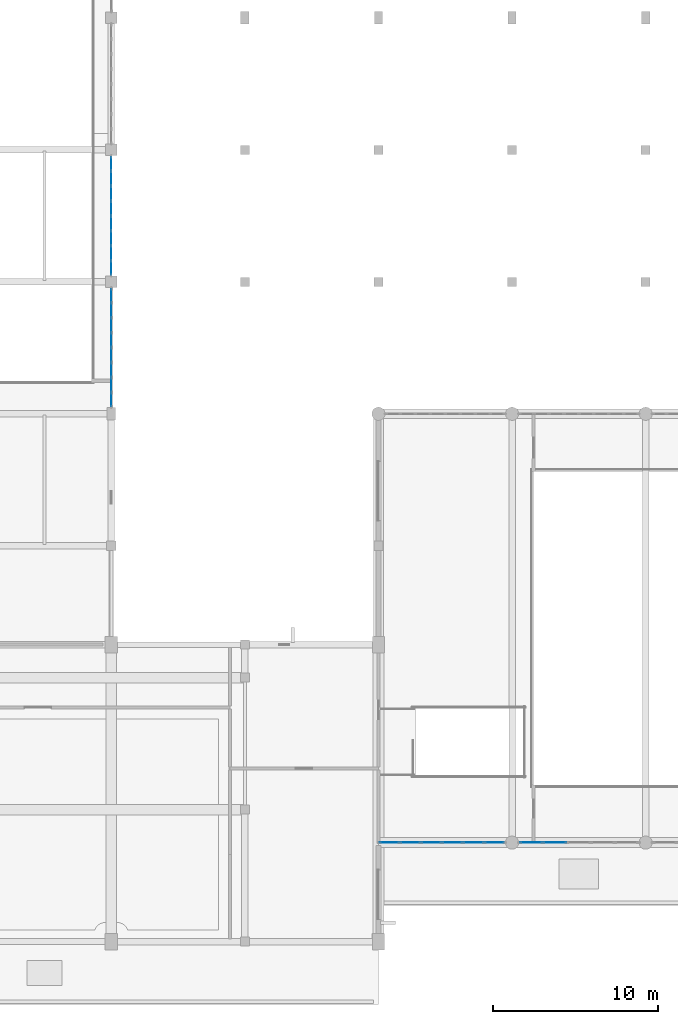
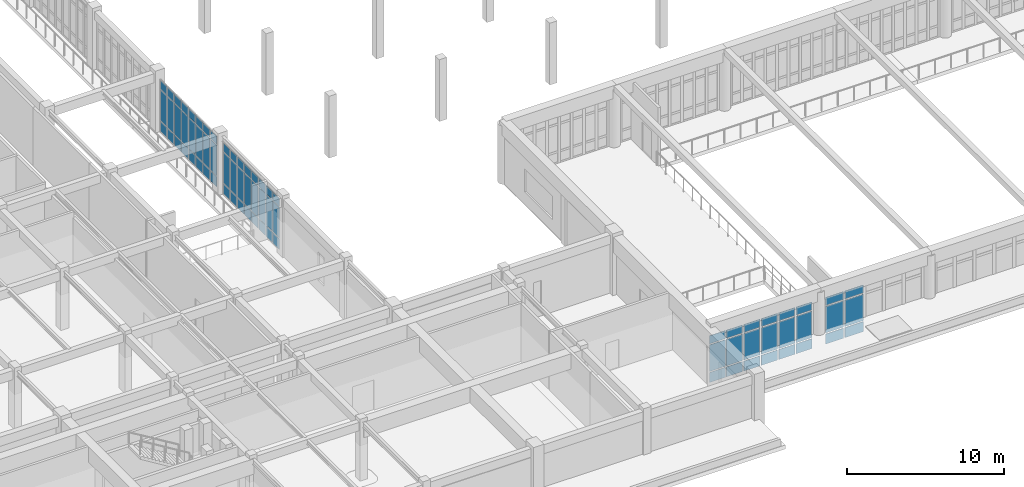
# One storey, part 29 of 61: 72 plates, 4 elements without a shape of their own.
"""IFC4 building model written with IfcOpenShell, lengths in metres."""

from ifc_helpers import new_model, si_unit, direction, frame, origin, origin_2d, place, context, subcontext, project, spatial, rectangle, extrude, material, layer, layer_set, type_object, element, aggregate, save


model = new_model("IFC4")

# Units and contexts
model_context = context("Model", 3, precision=1e-05, world=origin(), true_north=direction((0.0, 1.0)))
body_context = subcontext(model_context, "Body", "Model", "MODEL_VIEW")
ifc_project = project(units=[si_unit("LENGTHUNIT", "METRE"), si_unit("AREAUNIT", "SQUARE_METRE"), si_unit("VOLUMEUNIT", "CUBIC_METRE"), si_unit("PLANEANGLEUNIT", "RADIAN"), si_unit("MASSUNIT", "GRAM", prefix="KILO")], contexts=[model_context])

# Site, building, storey
site_placement = place(None, origin())
site = spatial("IfcSite", under=ifc_project, at=site_placement, CompositionType="ELEMENT")
building_placement = place(site_placement, origin())
building = spatial("IfcBuilding", under=site, at=building_placement, Name="Tarnveldt Square Police Headquarters", CompositionType="ELEMENT")
storey_placement = place(building_placement, frame((0.0, 0.0, 5.39990234375)))
storey = spatial("IfcBuildingStorey", under=building, at=storey_placement, Name="L01", CompositionType="ELEMENT", Elevation=5.39990234375)

# Curtain wall, plates
ifc_material = material(Name="Triple-glazed low-e laminated vision glass", Category="glass")
curtain_wall_type_1 = type_object("IfcCurtainWallType", Name="CW-EH-769x379", PredefinedType="USERDEFINED", material=ifc_material)
curtain_wall_1_placement = place(storey_placement, origin())
curtain_wall_1 = element("IfcCurtainWall", 1, at=curtain_wall_1_placement, inside=storey, type_object=curtain_wall_type_1, Name="L01 Curtain Wall CW-L01-007", ObjectType="GLAZED CURTAIN WALL", PredefinedType="USERDEFINED")
ifc_layer = layer(ifc_material, 0.028076171875)
ifc_layer_set = layer_set([ifc_layer], Name="Triple-glazed low-e laminated vision glass")
plate_type = type_object("IfcPlateType", Name="CWP-VIS-28", PredefinedType="CURTAIN_PANEL", material=ifc_layer_set)
plate_1_placement = place(storey_placement, frame((65.461669921875, 22.0, 0.085205078125), z_axis=(0.0, 0.0, 1.0), x_axis=(1.0, 0.0, 0.0)))
plate_1 = element("IfcPlate", 2, at=plate_1_placement, type_object=plate_type, Name="CW-EH04 panel 1.1", PredefinedType="CURTAIN_PANEL", context=body_context, shape_type="SweptSolid", body=[
    extrude(rectangle(XDim=1.1533203125, YDim=0.028076171875, at=origin_2d()), origin(), (0.0, 0.0, 1.0), 0.7724609375),
])
plate_2_placement = place(storey_placement, frame((65.461669921875, 22.0, 0.94287109375), z_axis=(0.0, 0.0, 1.0), x_axis=(1.0, 0.0, 0.0)))
plate_2 = element("IfcPlate", 3, at=plate_2_placement, type_object=plate_type, Name="CW-EH04 panel 1.2", PredefinedType="CURTAIN_PANEL", context=body_context, shape_type="SweptSolid", body=[
    extrude(rectangle(XDim=1.1533203125, YDim=0.028076171875, at=origin_2d()), origin(), (0.0, 0.0, 1.0), 2.056884765625),
])
plate_3_placement = place(storey_placement, frame((65.461669921875, 22.0, 3.08447265625), z_axis=(0.0, 0.0, 1.0), x_axis=(1.0, 0.0, 0.0)))
plate_3 = element("IfcPlate", 4, at=plate_3_placement, type_object=plate_type, Name="CW-EH04 panel 1.3", PredefinedType="CURTAIN_PANEL", context=body_context, shape_type="SweptSolid", body=[
    extrude(rectangle(XDim=1.1533203125, YDim=0.028076171875, at=origin_2d()), origin(), (0.0, 0.0, 1.0), 0.62255859375),
])
plate_4_placement = place(storey_placement, frame((66.72119140625, 22.0, 0.085205078125), z_axis=(0.0, 0.0, 1.0), x_axis=(1.0, 0.0, 0.0)))
plate_4 = element("IfcPlate", 5, at=plate_4_placement, type_object=plate_type, Name="CW-EH04 panel 2.1", PredefinedType="CURTAIN_PANEL", context=body_context, shape_type="SweptSolid", body=[
    extrude(rectangle(XDim=1.19580078125, YDim=0.028076171875, at=origin_2d()), origin(), (0.0, 0.0, 1.0), 0.7724609375),
])
plate_5_placement = place(storey_placement, frame((66.72119140625, 22.0, 0.94287109375), z_axis=(0.0, 0.0, 1.0), x_axis=(1.0, 0.0, 0.0)))
plate_5 = element("IfcPlate", 6, at=plate_5_placement, type_object=plate_type, Name="CW-EH04 panel 2.2", PredefinedType="CURTAIN_PANEL", context=body_context, shape_type="SweptSolid", body=[
    extrude(rectangle(XDim=1.19580078125, YDim=0.028076171875, at=origin_2d()), origin(), (0.0, 0.0, 1.0), 2.056884765625),
])
plate_6_placement = place(storey_placement, frame((66.72119140625, 22.0, 3.08447265625), z_axis=(0.0, 0.0, 1.0), x_axis=(1.0, 0.0, 0.0)))
plate_6 = element("IfcPlate", 7, at=plate_6_placement, type_object=plate_type, Name="CW-EH04 panel 2.3", PredefinedType="CURTAIN_PANEL", context=body_context, shape_type="SweptSolid", body=[
    extrude(rectangle(XDim=1.19580078125, YDim=0.028076171875, at=origin_2d()), origin(), (0.0, 0.0, 1.0), 0.62255859375),
])
plate_7_placement = place(storey_placement, frame((68.002197265625, 22.0, 0.085205078125), z_axis=(0.0, 0.0, 1.0), x_axis=(1.0, 0.0, 0.0)))
plate_7 = element("IfcPlate", 8, at=plate_7_placement, type_object=plate_type, Name="CW-EH04 panel 3.1", PredefinedType="CURTAIN_PANEL", context=body_context, shape_type="SweptSolid", body=[
    extrude(rectangle(XDim=1.19580078125, YDim=0.028076171875, at=origin_2d()), origin(), (0.0, 0.0, 1.0), 0.7724609375),
])
plate_8_placement = place(storey_placement, frame((68.002197265625, 22.0, 0.94287109375), z_axis=(0.0, 0.0, 1.0), x_axis=(1.0, 0.0, 0.0)))
plate_8 = element("IfcPlate", 9, at=plate_8_placement, type_object=plate_type, Name="CW-EH04 panel 3.2", PredefinedType="CURTAIN_PANEL", context=body_context, shape_type="SweptSolid", body=[
    extrude(rectangle(XDim=1.19580078125, YDim=0.028076171875, at=origin_2d()), origin(), (0.0, 0.0, 1.0), 2.056884765625),
])
plate_9_placement = place(storey_placement, frame((68.002197265625, 22.0, 3.08447265625), z_axis=(0.0, 0.0, 1.0), x_axis=(1.0, 0.0, 0.0)))
plate_9 = element("IfcPlate", 10, at=plate_9_placement, type_object=plate_type, Name="CW-EH04 panel 3.3", PredefinedType="CURTAIN_PANEL", context=body_context, shape_type="SweptSolid", body=[
    extrude(rectangle(XDim=1.19580078125, YDim=0.028076171875, at=origin_2d()), origin(), (0.0, 0.0, 1.0), 0.62255859375),
])
plate_10_placement = place(storey_placement, frame((69.282958984375, 22.0, 0.085205078125), z_axis=(0.0, 0.0, 1.0), x_axis=(1.0, 0.0, 0.0)))
plate_10 = element("IfcPlate", 11, at=plate_10_placement, type_object=plate_type, Name="CW-EH04 panel 4.1", PredefinedType="CURTAIN_PANEL", context=body_context, shape_type="SweptSolid", body=[
    extrude(rectangle(XDim=1.19580078125, YDim=0.028076171875, at=origin_2d()), origin(), (0.0, 0.0, 1.0), 0.7724609375),
])
plate_11_placement = place(storey_placement, frame((69.282958984375, 22.0, 0.94287109375), z_axis=(0.0, 0.0, 1.0), x_axis=(1.0, 0.0, 0.0)))
plate_11 = element("IfcPlate", 12, at=plate_11_placement, type_object=plate_type, Name="CW-EH04 panel 4.2", PredefinedType="CURTAIN_PANEL", context=body_context, shape_type="SweptSolid", body=[
    extrude(rectangle(XDim=1.19580078125, YDim=0.028076171875, at=origin_2d()), origin(), (0.0, 0.0, 1.0), 2.056884765625),
])
plate_12_placement = place(storey_placement, frame((69.282958984375, 22.0, 3.08447265625), z_axis=(0.0, 0.0, 1.0), x_axis=(1.0, 0.0, 0.0)))
plate_12 = element("IfcPlate", 13, at=plate_12_placement, type_object=plate_type, Name="CW-EH04 panel 4.3", PredefinedType="CURTAIN_PANEL", context=body_context, shape_type="SweptSolid", body=[
    extrude(rectangle(XDim=1.19580078125, YDim=0.028076171875, at=origin_2d()), origin(), (0.0, 0.0, 1.0), 0.62255859375),
])
plate_13_placement = place(storey_placement, frame((70.563720703125, 22.0, 0.085205078125), z_axis=(0.0, 0.0, 1.0), x_axis=(1.0, 0.0, 0.0)))
plate_13 = element("IfcPlate", 14, at=plate_13_placement, type_object=plate_type, Name="CW-EH04 panel 5.1", PredefinedType="CURTAIN_PANEL", context=body_context, shape_type="SweptSolid", body=[
    extrude(rectangle(XDim=1.19580078125, YDim=0.028076171875, at=origin_2d()), origin(), (0.0, 0.0, 1.0), 0.7724609375),
])
plate_14_placement = place(storey_placement, frame((70.563720703125, 22.0, 0.94287109375), z_axis=(0.0, 0.0, 1.0), x_axis=(1.0, 0.0, 0.0)))
plate_14 = element("IfcPlate", 15, at=plate_14_placement, type_object=plate_type, Name="CW-EH04 panel 5.2", PredefinedType="CURTAIN_PANEL", context=body_context, shape_type="SweptSolid", body=[
    extrude(rectangle(XDim=1.19580078125, YDim=0.028076171875, at=origin_2d()), origin(), (0.0, 0.0, 1.0), 2.056884765625),
])
plate_15_placement = place(storey_placement, frame((70.563720703125, 22.0, 3.08447265625), z_axis=(0.0, 0.0, 1.0), x_axis=(1.0, 0.0, 0.0)))
plate_15 = element("IfcPlate", 16, at=plate_15_placement, type_object=plate_type, Name="CW-EH04 panel 5.3", PredefinedType="CURTAIN_PANEL", context=body_context, shape_type="SweptSolid", body=[
    extrude(rectangle(XDim=1.19580078125, YDim=0.028076171875, at=origin_2d()), origin(), (0.0, 0.0, 1.0), 0.62255859375),
])
plate_16_placement = place(storey_placement, frame((71.8232421875, 22.0, 0.085205078125), z_axis=(0.0, 0.0, 1.0), x_axis=(1.0, 0.0, 0.0)))
plate_16 = element("IfcPlate", 17, at=plate_16_placement, type_object=plate_type, Name="CW-EH04 panel 6.1", PredefinedType="CURTAIN_PANEL", context=body_context, shape_type="SweptSolid", body=[
    extrude(rectangle(XDim=1.1533203125, YDim=0.028076171875, at=origin_2d()), origin(), (0.0, 0.0, 1.0), 0.7724609375),
])
plate_17_placement = place(storey_placement, frame((71.8232421875, 22.0, 0.94287109375), z_axis=(0.0, 0.0, 1.0), x_axis=(1.0, 0.0, 0.0)))
plate_17 = element("IfcPlate", 18, at=plate_17_placement, type_object=plate_type, Name="CW-EH04 panel 6.2", PredefinedType="CURTAIN_PANEL", context=body_context, shape_type="SweptSolid", body=[
    extrude(rectangle(XDim=1.1533203125, YDim=0.028076171875, at=origin_2d()), origin(), (0.0, 0.0, 1.0), 2.056884765625),
])
plate_18_placement = place(storey_placement, frame((71.8232421875, 22.0, 3.08447265625), z_axis=(0.0, 0.0, 1.0), x_axis=(1.0, 0.0, 0.0)))
plate_18 = element("IfcPlate", 19, at=plate_18_placement, type_object=plate_type, Name="CW-EH04 panel 6.3", PredefinedType="CURTAIN_PANEL", context=body_context, shape_type="SweptSolid", body=[
    extrude(rectangle(XDim=1.1533203125, YDim=0.028076171875, at=origin_2d()), origin(), (0.0, 0.0, 1.0), 0.62255859375),
])
aggregate(curtain_wall_1, [plate_1, plate_2, plate_3, plate_4, plate_5, plate_6, plate_7, plate_8, plate_9, plate_10, plate_11, plate_12, plate_13, plate_14, plate_15, plate_16, plate_17, plate_18])

curtain_wall_type_2 = type_object("IfcCurtainWallType", Name="CW-EH-727x379", PredefinedType="USERDEFINED", material=ifc_material)
curtain_wall_2_placement = place(storey_placement, origin())
curtain_wall_2 = element("IfcCurtainWall", 20, at=curtain_wall_2_placement, inside=storey, type_object=curtain_wall_type_2, Name="L01 Curtain Wall CW-L01-008", ObjectType="GLAZED CURTAIN WALL", PredefinedType="USERDEFINED")
plate_19_placement = place(storey_placement, frame((74.063232421875, 22.0, 0.085205078125), z_axis=(0.0, 0.0, 1.0), x_axis=(1.0, 0.0, 0.0)))
plate_19 = element("IfcPlate", 21, at=plate_19_placement, type_object=plate_type, Name="CW-EH05 panel 1.1", PredefinedType="CURTAIN_PANEL", context=body_context, shape_type="SweptSolid", body=[
    extrude(rectangle(XDim=1.326416015625, YDim=0.028076171875, at=origin_2d()), origin(), (0.0, 0.0, 1.0), 0.7724609375),
])
plate_20_placement = place(storey_placement, frame((74.063232421875, 22.0, 0.94287109375), z_axis=(0.0, 0.0, 1.0), x_axis=(1.0, 0.0, 0.0)))
plate_20 = element("IfcPlate", 22, at=plate_20_placement, type_object=plate_type, Name="CW-EH05 panel 1.2", PredefinedType="CURTAIN_PANEL", context=body_context, shape_type="SweptSolid", body=[
    extrude(rectangle(XDim=1.326416015625, YDim=0.028076171875, at=origin_2d()), origin(), (0.0, 0.0, 1.0), 2.056884765625),
])
plate_21_placement = place(storey_placement, frame((74.063232421875, 22.0, 3.08447265625), z_axis=(0.0, 0.0, 1.0), x_axis=(1.0, 0.0, 0.0)))
plate_21 = element("IfcPlate", 23, at=plate_21_placement, type_object=plate_type, Name="CW-EH05 panel 1.3", PredefinedType="CURTAIN_PANEL", context=body_context, shape_type="SweptSolid", body=[
    extrude(rectangle(XDim=1.326416015625, YDim=0.028076171875, at=origin_2d()), origin(), (0.0, 0.0, 1.0), 0.62255859375),
])
plate_22_placement = place(storey_placement, frame((75.49609375, 22.0, 0.085205078125), z_axis=(0.0, 0.0, 1.0), x_axis=(1.0, 0.0, 0.0)))
plate_22 = element("IfcPlate", 24, at=plate_22_placement, type_object=plate_type, Name="CW-EH05 panel 2.1", PredefinedType="CURTAIN_PANEL", context=body_context, shape_type="SweptSolid", body=[
    extrude(rectangle(XDim=1.368896484375, YDim=0.028076171875, at=origin_2d()), origin(), (0.0, 0.0, 1.0), 0.7724609375),
])
plate_23_placement = place(storey_placement, frame((75.49609375, 22.0, 0.94287109375), z_axis=(0.0, 0.0, 1.0), x_axis=(1.0, 0.0, 0.0)))
plate_23 = element("IfcPlate", 25, at=plate_23_placement, type_object=plate_type, Name="CW-EH05 panel 2.2", PredefinedType="CURTAIN_PANEL", context=body_context, shape_type="SweptSolid", body=[
    extrude(rectangle(XDim=1.368896484375, YDim=0.028076171875, at=origin_2d()), origin(), (0.0, 0.0, 1.0), 2.056884765625),
])
plate_24_placement = place(storey_placement, frame((75.49609375, 22.0, 3.08447265625), z_axis=(0.0, 0.0, 1.0), x_axis=(1.0, 0.0, 0.0)))
plate_24 = element("IfcPlate", 26, at=plate_24_placement, type_object=plate_type, Name="CW-EH05 panel 2.3", PredefinedType="CURTAIN_PANEL", context=body_context, shape_type="SweptSolid", body=[
    extrude(rectangle(XDim=1.368896484375, YDim=0.028076171875, at=origin_2d()), origin(), (0.0, 0.0, 1.0), 0.62255859375),
])
aggregate(curtain_wall_2, [plate_19, plate_20, plate_21, plate_22, plate_23, plate_24])

curtain_wall_type_3 = type_object("IfcCurtainWallType", Name="CW-WG-724x409", PredefinedType="USERDEFINED", material=ifc_material)
curtain_wall_3_placement = place(storey_placement, origin())
curtain_wall_3 = element("IfcCurtainWall", 27, at=curtain_wall_3_placement, inside=storey, type_object=curtain_wall_type_3, Name="L01 Curtain Wall CW-L01-067", ObjectType="GLAZED CURTAIN WALL", PredefinedType="USERDEFINED")
plate_25_placement = place(storey_placement, frame((48.60009765625, 48.861572265625, 0.074951171875), z_axis=(0.0, 0.0, 1.0), x_axis=(0.0, 1.0, 0.0)))
plate_25 = element("IfcPlate", 28, at=plate_25_placement, type_object=plate_type, Name="CW-WG28 panel 1.1", PredefinedType="CURTAIN_PANEL", context=body_context, shape_type="SweptSolid", body=[
    extrude(rectangle(XDim=0.793212890625, YDim=0.028076171875, at=origin_2d()), origin(), (0.0, 0.0, 1.0), 0.78759765625),
])
plate_26_placement = place(storey_placement, frame((48.60009765625, 48.861572265625, 0.9375), z_axis=(0.0, 0.0, 1.0), x_axis=(0.0, 1.0, 0.0)))
plate_26 = element("IfcPlate", 29, at=plate_26_placement, type_object=plate_type, Name="CW-WG28 panel 1.2", PredefinedType="CURTAIN_PANEL", context=body_context, shape_type="SweptSolid", body=[
    extrude(rectangle(XDim=0.793212890625, YDim=0.028076171875, at=origin_2d()), origin(), (0.0, 0.0, 1.0), 2.3701171875),
])
plate_27_placement = place(storey_placement, frame((48.60009765625, 48.861572265625, 3.3828125), z_axis=(0.0, 0.0, 1.0), x_axis=(0.0, 1.0, 0.0)))
plate_27 = element("IfcPlate", 30, at=plate_27_placement, type_object=plate_type, Name="CW-WG28 panel 1.3", PredefinedType="CURTAIN_PANEL", context=body_context, shape_type="SweptSolid", body=[
    extrude(rectangle(XDim=0.793212890625, YDim=0.028076171875, at=origin_2d()), origin(), (0.0, 0.0, 1.0), 0.637451171875),
])
plate_28_placement = place(storey_placement, frame((48.60009765625, 49.74853515625, 0.074951171875), z_axis=(0.0, 0.0, 1.0), x_axis=(0.0, 1.0, 0.0)))
plate_28 = element("IfcPlate", 31, at=plate_28_placement, type_object=plate_type, Name="CW-WG28 panel 2.1", PredefinedType="CURTAIN_PANEL", context=body_context, shape_type="SweptSolid", body=[
    extrude(rectangle(XDim=0.83056640625, YDim=0.028076171875, at=origin_2d()), origin(), (0.0, 0.0, 1.0), 0.78759765625),
])
plate_29_placement = place(storey_placement, frame((48.60009765625, 49.74853515625, 0.9375), z_axis=(0.0, 0.0, 1.0), x_axis=(0.0, 1.0, 0.0)))
plate_29 = element("IfcPlate", 32, at=plate_29_placement, type_object=plate_type, Name="CW-WG28 panel 2.2", PredefinedType="CURTAIN_PANEL", context=body_context, shape_type="SweptSolid", body=[
    extrude(rectangle(XDim=0.83056640625, YDim=0.028076171875, at=origin_2d()), origin(), (0.0, 0.0, 1.0), 2.3701171875),
])
plate_30_placement = place(storey_placement, frame((48.60009765625, 49.74853515625, 3.3828125), z_axis=(0.0, 0.0, 1.0), x_axis=(0.0, 1.0, 0.0)))
plate_30 = element("IfcPlate", 33, at=plate_30_placement, type_object=plate_type, Name="CW-WG28 panel 2.3", PredefinedType="CURTAIN_PANEL", context=body_context, shape_type="SweptSolid", body=[
    extrude(rectangle(XDim=0.83056640625, YDim=0.028076171875, at=origin_2d()), origin(), (0.0, 0.0, 1.0), 0.637451171875),
])
plate_31_placement = place(storey_placement, frame((48.60009765625, 50.654052734375, 0.074951171875), z_axis=(0.0, 0.0, 1.0), x_axis=(0.0, 1.0, 0.0)))
plate_31 = element("IfcPlate", 34, at=plate_31_placement, type_object=plate_type, Name="CW-WG28 panel 3.1", PredefinedType="CURTAIN_PANEL", context=body_context, shape_type="SweptSolid", body=[
    extrude(rectangle(XDim=0.83056640625, YDim=0.028076171875, at=origin_2d()), origin(), (0.0, 0.0, 1.0), 0.78759765625),
])
plate_32_placement = place(storey_placement, frame((48.60009765625, 50.654052734375, 0.9375), z_axis=(0.0, 0.0, 1.0), x_axis=(0.0, 1.0, 0.0)))
plate_32 = element("IfcPlate", 35, at=plate_32_placement, type_object=plate_type, Name="CW-WG28 panel 3.2", PredefinedType="CURTAIN_PANEL", context=body_context, shape_type="SweptSolid", body=[
    extrude(rectangle(XDim=0.83056640625, YDim=0.028076171875, at=origin_2d()), origin(), (0.0, 0.0, 1.0), 2.3701171875),
])
plate_33_placement = place(storey_placement, frame((48.60009765625, 50.654052734375, 3.3828125), z_axis=(0.0, 0.0, 1.0), x_axis=(0.0, 1.0, 0.0)))
plate_33 = element("IfcPlate", 36, at=plate_33_placement, type_object=plate_type, Name="CW-WG28 panel 3.3", PredefinedType="CURTAIN_PANEL", context=body_context, shape_type="SweptSolid", body=[
    extrude(rectangle(XDim=0.83056640625, YDim=0.028076171875, at=origin_2d()), origin(), (0.0, 0.0, 1.0), 0.637451171875),
])
plate_34_placement = place(storey_placement, frame((48.60009765625, 51.5595703125, 0.074951171875), z_axis=(0.0, 0.0, 1.0), x_axis=(0.0, 1.0, 0.0)))
plate_34 = element("IfcPlate", 37, at=plate_34_placement, type_object=plate_type, Name="CW-WG28 panel 4.1", PredefinedType="CURTAIN_PANEL", context=body_context, shape_type="SweptSolid", body=[
    extrude(rectangle(XDim=0.83056640625, YDim=0.028076171875, at=origin_2d()), origin(), (0.0, 0.0, 1.0), 0.78759765625),
])
plate_35_placement = place(storey_placement, frame((48.60009765625, 51.5595703125, 0.9375), z_axis=(0.0, 0.0, 1.0), x_axis=(0.0, 1.0, 0.0)))
plate_35 = element("IfcPlate", 38, at=plate_35_placement, type_object=plate_type, Name="CW-WG28 panel 4.2", PredefinedType="CURTAIN_PANEL", context=body_context, shape_type="SweptSolid", body=[
    extrude(rectangle(XDim=0.83056640625, YDim=0.028076171875, at=origin_2d()), origin(), (0.0, 0.0, 1.0), 2.3701171875),
])
plate_36_placement = place(storey_placement, frame((48.60009765625, 51.5595703125, 3.3828125), z_axis=(0.0, 0.0, 1.0), x_axis=(0.0, 1.0, 0.0)))
plate_36 = element("IfcPlate", 39, at=plate_36_placement, type_object=plate_type, Name="CW-WG28 panel 4.3", PredefinedType="CURTAIN_PANEL", context=body_context, shape_type="SweptSolid", body=[
    extrude(rectangle(XDim=0.83056640625, YDim=0.028076171875, at=origin_2d()), origin(), (0.0, 0.0, 1.0), 0.637451171875),
])
plate_37_placement = place(storey_placement, frame((48.60009765625, 52.46533203125, 0.074951171875), z_axis=(0.0, 0.0, 1.0), x_axis=(0.0, 1.0, 0.0)))
plate_37 = element("IfcPlate", 40, at=plate_37_placement, type_object=plate_type, Name="CW-WG28 panel 5.1", PredefinedType="CURTAIN_PANEL", context=body_context, shape_type="SweptSolid", body=[
    extrude(rectangle(XDim=0.83056640625, YDim=0.028076171875, at=origin_2d()), origin(), (0.0, 0.0, 1.0), 0.78759765625),
])
plate_38_placement = place(storey_placement, frame((48.60009765625, 52.46533203125, 0.9375), z_axis=(0.0, 0.0, 1.0), x_axis=(0.0, 1.0, 0.0)))
plate_38 = element("IfcPlate", 41, at=plate_38_placement, type_object=plate_type, Name="CW-WG28 panel 5.2", PredefinedType="CURTAIN_PANEL", context=body_context, shape_type="SweptSolid", body=[
    extrude(rectangle(XDim=0.83056640625, YDim=0.028076171875, at=origin_2d()), origin(), (0.0, 0.0, 1.0), 2.3701171875),
])
plate_39_placement = place(storey_placement, frame((48.60009765625, 52.46533203125, 3.3828125), z_axis=(0.0, 0.0, 1.0), x_axis=(0.0, 1.0, 0.0)))
plate_39 = element("IfcPlate", 42, at=plate_39_placement, type_object=plate_type, Name="CW-WG28 panel 5.3", PredefinedType="CURTAIN_PANEL", context=body_context, shape_type="SweptSolid", body=[
    extrude(rectangle(XDim=0.83056640625, YDim=0.028076171875, at=origin_2d()), origin(), (0.0, 0.0, 1.0), 0.637451171875),
])
plate_40_placement = place(storey_placement, frame((48.60009765625, 53.370849609375, 0.074951171875), z_axis=(0.0, 0.0, 1.0), x_axis=(0.0, 1.0, 0.0)))
plate_40 = element("IfcPlate", 43, at=plate_40_placement, type_object=plate_type, Name="CW-WG28 panel 6.1", PredefinedType="CURTAIN_PANEL", context=body_context, shape_type="SweptSolid", body=[
    extrude(rectangle(XDim=0.83056640625, YDim=0.028076171875, at=origin_2d()), origin(), (0.0, 0.0, 1.0), 0.78759765625),
])
plate_41_placement = place(storey_placement, frame((48.60009765625, 53.370849609375, 0.9375), z_axis=(0.0, 0.0, 1.0), x_axis=(0.0, 1.0, 0.0)))
plate_41 = element("IfcPlate", 44, at=plate_41_placement, type_object=plate_type, Name="CW-WG28 panel 6.2", PredefinedType="CURTAIN_PANEL", context=body_context, shape_type="SweptSolid", body=[
    extrude(rectangle(XDim=0.83056640625, YDim=0.028076171875, at=origin_2d()), origin(), (0.0, 0.0, 1.0), 2.3701171875),
])
plate_42_placement = place(storey_placement, frame((48.60009765625, 53.370849609375, 3.3828125), z_axis=(0.0, 0.0, 1.0), x_axis=(0.0, 1.0, 0.0)))
plate_42 = element("IfcPlate", 45, at=plate_42_placement, type_object=plate_type, Name="CW-WG28 panel 6.3", PredefinedType="CURTAIN_PANEL", context=body_context, shape_type="SweptSolid", body=[
    extrude(rectangle(XDim=0.83056640625, YDim=0.028076171875, at=origin_2d()), origin(), (0.0, 0.0, 1.0), 0.637451171875),
])
plate_43_placement = place(storey_placement, frame((48.60009765625, 54.276611328125, 0.074951171875), z_axis=(0.0, 0.0, 1.0), x_axis=(0.0, 1.0, 0.0)))
plate_43 = element("IfcPlate", 46, at=plate_43_placement, type_object=plate_type, Name="CW-WG28 panel 7.1", PredefinedType="CURTAIN_PANEL", context=body_context, shape_type="SweptSolid", body=[
    extrude(rectangle(XDim=0.83056640625, YDim=0.028076171875, at=origin_2d()), origin(), (0.0, 0.0, 1.0), 0.78759765625),
])
plate_44_placement = place(storey_placement, frame((48.60009765625, 54.276611328125, 0.9375), z_axis=(0.0, 0.0, 1.0), x_axis=(0.0, 1.0, 0.0)))
plate_44 = element("IfcPlate", 47, at=plate_44_placement, type_object=plate_type, Name="CW-WG28 panel 7.2", PredefinedType="CURTAIN_PANEL", context=body_context, shape_type="SweptSolid", body=[
    extrude(rectangle(XDim=0.83056640625, YDim=0.028076171875, at=origin_2d()), origin(), (0.0, 0.0, 1.0), 2.3701171875),
])
plate_45_placement = place(storey_placement, frame((48.60009765625, 54.276611328125, 3.3828125), z_axis=(0.0, 0.0, 1.0), x_axis=(0.0, 1.0, 0.0)))
plate_45 = element("IfcPlate", 48, at=plate_45_placement, type_object=plate_type, Name="CW-WG28 panel 7.3", PredefinedType="CURTAIN_PANEL", context=body_context, shape_type="SweptSolid", body=[
    extrude(rectangle(XDim=0.83056640625, YDim=0.028076171875, at=origin_2d()), origin(), (0.0, 0.0, 1.0), 0.637451171875),
])
plate_46_placement = place(storey_placement, frame((48.60009765625, 55.163330078125, 0.074951171875), z_axis=(0.0, 0.0, 1.0), x_axis=(0.0, 1.0, 0.0)))
plate_46 = element("IfcPlate", 49, at=plate_46_placement, type_object=plate_type, Name="CW-WG28 panel 8.1", PredefinedType="CURTAIN_PANEL", context=body_context, shape_type="SweptSolid", body=[
    extrude(rectangle(XDim=0.793212890625, YDim=0.028076171875, at=origin_2d()), origin(), (0.0, 0.0, 1.0), 0.78759765625),
])
plate_47_placement = place(storey_placement, frame((48.60009765625, 55.163330078125, 0.9375), z_axis=(0.0, 0.0, 1.0), x_axis=(0.0, 1.0, 0.0)))
plate_47 = element("IfcPlate", 50, at=plate_47_placement, type_object=plate_type, Name="CW-WG28 panel 8.2", PredefinedType="CURTAIN_PANEL", context=body_context, shape_type="SweptSolid", body=[
    extrude(rectangle(XDim=0.793212890625, YDim=0.028076171875, at=origin_2d()), origin(), (0.0, 0.0, 1.0), 2.3701171875),
])
plate_48_placement = place(storey_placement, frame((48.60009765625, 55.163330078125, 3.3828125), z_axis=(0.0, 0.0, 1.0), x_axis=(0.0, 1.0, 0.0)))
plate_48 = element("IfcPlate", 51, at=plate_48_placement, type_object=plate_type, Name="CW-WG28 panel 8.3", PredefinedType="CURTAIN_PANEL", context=body_context, shape_type="SweptSolid", body=[
    extrude(rectangle(XDim=0.793212890625, YDim=0.028076171875, at=origin_2d()), origin(), (0.0, 0.0, 1.0), 0.637451171875),
])
aggregate(curtain_wall_3, [plate_25, plate_26, plate_27, plate_28, plate_29, plate_30, plate_31, plate_32, plate_33, plate_34, plate_35, plate_36, plate_37, plate_38, plate_39, plate_40, plate_41, plate_42, plate_43, plate_44, plate_45, plate_46, plate_47, plate_48])

curtain_wall_type_4 = type_object("IfcCurtainWallType", Name="CW-WG-727x409", PredefinedType="USERDEFINED", material=ifc_material)
curtain_wall_4_placement = place(storey_placement, origin())
curtain_wall_4 = element("IfcCurtainWall", 52, at=curtain_wall_4_placement, inside=storey, type_object=curtain_wall_type_4, Name="L01 Curtain Wall CW-L01-068", ObjectType="GLAZED CURTAIN WALL", PredefinedType="USERDEFINED")
plate_49_placement = place(storey_placement, frame((48.60009765625, 56.838134765625, 0.074951171875), z_axis=(0.0, 0.0, 1.0), x_axis=(0.0, 1.0, 0.0)))
plate_49 = element("IfcPlate", 53, at=plate_49_placement, type_object=plate_type, Name="CW-WG29 panel 1.1", PredefinedType="CURTAIN_PANEL", context=body_context, shape_type="SweptSolid", body=[
    extrude(rectangle(XDim=0.796142578125, YDim=0.028076171875, at=origin_2d()), origin(), (0.0, 0.0, 1.0), 0.78759765625),
])
plate_50_placement = place(storey_placement, frame((48.60009765625, 56.838134765625, 0.9375), z_axis=(0.0, 0.0, 1.0), x_axis=(0.0, 1.0, 0.0)))
plate_50 = element("IfcPlate", 54, at=plate_50_placement, type_object=plate_type, Name="CW-WG29 panel 1.2", PredefinedType="CURTAIN_PANEL", context=body_context, shape_type="SweptSolid", body=[
    extrude(rectangle(XDim=0.796142578125, YDim=0.028076171875, at=origin_2d()), origin(), (0.0, 0.0, 1.0), 2.3701171875),
])
plate_51_placement = place(storey_placement, frame((48.60009765625, 56.838134765625, 3.3828125), z_axis=(0.0, 0.0, 1.0), x_axis=(0.0, 1.0, 0.0)))
plate_51 = element("IfcPlate", 55, at=plate_51_placement, type_object=plate_type, Name="CW-WG29 panel 1.3", PredefinedType="CURTAIN_PANEL", context=body_context, shape_type="SweptSolid", body=[
    extrude(rectangle(XDim=0.796142578125, YDim=0.028076171875, at=origin_2d()), origin(), (0.0, 0.0, 1.0), 0.637451171875),
])
plate_52_placement = place(storey_placement, frame((48.60009765625, 57.72802734375, 0.074951171875), z_axis=(0.0, 0.0, 1.0), x_axis=(0.0, 1.0, 0.0)))
plate_52 = element("IfcPlate", 56, at=plate_52_placement, type_object=plate_type, Name="CW-WG29 panel 2.1", PredefinedType="CURTAIN_PANEL", context=body_context, shape_type="SweptSolid", body=[
    extrude(rectangle(XDim=0.833740234375, YDim=0.028076171875, at=origin_2d()), origin(), (0.0, 0.0, 1.0), 0.78759765625),
])
plate_53_placement = place(storey_placement, frame((48.60009765625, 57.72802734375, 0.9375), z_axis=(0.0, 0.0, 1.0), x_axis=(0.0, 1.0, 0.0)))
plate_53 = element("IfcPlate", 57, at=plate_53_placement, type_object=plate_type, Name="CW-WG29 panel 2.2", PredefinedType="CURTAIN_PANEL", context=body_context, shape_type="SweptSolid", body=[
    extrude(rectangle(XDim=0.833740234375, YDim=0.028076171875, at=origin_2d()), origin(), (0.0, 0.0, 1.0), 2.3701171875),
])
plate_54_placement = place(storey_placement, frame((48.60009765625, 57.72802734375, 3.3828125), z_axis=(0.0, 0.0, 1.0), x_axis=(0.0, 1.0, 0.0)))
plate_54 = element("IfcPlate", 58, at=plate_54_placement, type_object=plate_type, Name="CW-WG29 panel 2.3", PredefinedType="CURTAIN_PANEL", context=body_context, shape_type="SweptSolid", body=[
    extrude(rectangle(XDim=0.833740234375, YDim=0.028076171875, at=origin_2d()), origin(), (0.0, 0.0, 1.0), 0.637451171875),
])
plate_55_placement = place(storey_placement, frame((48.60009765625, 58.636962890625, 0.074951171875), z_axis=(0.0, 0.0, 1.0), x_axis=(0.0, 1.0, 0.0)))
plate_55 = element("IfcPlate", 59, at=plate_55_placement, type_object=plate_type, Name="CW-WG29 panel 3.1", PredefinedType="CURTAIN_PANEL", context=body_context, shape_type="SweptSolid", body=[
    extrude(rectangle(XDim=0.833740234375, YDim=0.028076171875, at=origin_2d()), origin(), (0.0, 0.0, 1.0), 0.78759765625),
])
plate_56_placement = place(storey_placement, frame((48.60009765625, 58.636962890625, 0.9375), z_axis=(0.0, 0.0, 1.0), x_axis=(0.0, 1.0, 0.0)))
plate_56 = element("IfcPlate", 60, at=plate_56_placement, type_object=plate_type, Name="CW-WG29 panel 3.2", PredefinedType="CURTAIN_PANEL", context=body_context, shape_type="SweptSolid", body=[
    extrude(rectangle(XDim=0.833740234375, YDim=0.028076171875, at=origin_2d()), origin(), (0.0, 0.0, 1.0), 2.3701171875),
])
plate_57_placement = place(storey_placement, frame((48.60009765625, 58.636962890625, 3.3828125), z_axis=(0.0, 0.0, 1.0), x_axis=(0.0, 1.0, 0.0)))
plate_57 = element("IfcPlate", 61, at=plate_57_placement, type_object=plate_type, Name="CW-WG29 panel 3.3", PredefinedType="CURTAIN_PANEL", context=body_context, shape_type="SweptSolid", body=[
    extrude(rectangle(XDim=0.833740234375, YDim=0.028076171875, at=origin_2d()), origin(), (0.0, 0.0, 1.0), 0.637451171875),
])
plate_58_placement = place(storey_placement, frame((48.60009765625, 59.545654296875, 0.074951171875), z_axis=(0.0, 0.0, 1.0), x_axis=(0.0, 1.0, 0.0)))
plate_58 = element("IfcPlate", 62, at=plate_58_placement, type_object=plate_type, Name="CW-WG29 panel 4.1", PredefinedType="CURTAIN_PANEL", context=body_context, shape_type="SweptSolid", body=[
    extrude(rectangle(XDim=0.833740234375, YDim=0.028076171875, at=origin_2d()), origin(), (0.0, 0.0, 1.0), 0.78759765625),
])
plate_59_placement = place(storey_placement, frame((48.60009765625, 59.545654296875, 0.9375), z_axis=(0.0, 0.0, 1.0), x_axis=(0.0, 1.0, 0.0)))
plate_59 = element("IfcPlate", 63, at=plate_59_placement, type_object=plate_type, Name="CW-WG29 panel 4.2", PredefinedType="CURTAIN_PANEL", context=body_context, shape_type="SweptSolid", body=[
    extrude(rectangle(XDim=0.833740234375, YDim=0.028076171875, at=origin_2d()), origin(), (0.0, 0.0, 1.0), 2.3701171875),
])
plate_60_placement = place(storey_placement, frame((48.60009765625, 59.545654296875, 3.3828125), z_axis=(0.0, 0.0, 1.0), x_axis=(0.0, 1.0, 0.0)))
plate_60 = element("IfcPlate", 64, at=plate_60_placement, type_object=plate_type, Name="CW-WG29 panel 4.3", PredefinedType="CURTAIN_PANEL", context=body_context, shape_type="SweptSolid", body=[
    extrude(rectangle(XDim=0.833740234375, YDim=0.028076171875, at=origin_2d()), origin(), (0.0, 0.0, 1.0), 0.637451171875),
])
plate_61_placement = place(storey_placement, frame((48.60009765625, 60.454345703125, 0.074951171875), z_axis=(0.0, 0.0, 1.0), x_axis=(0.0, 1.0, 0.0)))
plate_61 = element("IfcPlate", 65, at=plate_61_placement, type_object=plate_type, Name="CW-WG29 panel 5.1", PredefinedType="CURTAIN_PANEL", context=body_context, shape_type="SweptSolid", body=[
    extrude(rectangle(XDim=0.833740234375, YDim=0.028076171875, at=origin_2d()), origin(), (0.0, 0.0, 1.0), 0.78759765625),
])
plate_62_placement = place(storey_placement, frame((48.60009765625, 60.454345703125, 0.9375), z_axis=(0.0, 0.0, 1.0), x_axis=(0.0, 1.0, 0.0)))
plate_62 = element("IfcPlate", 66, at=plate_62_placement, type_object=plate_type, Name="CW-WG29 panel 5.2", PredefinedType="CURTAIN_PANEL", context=body_context, shape_type="SweptSolid", body=[
    extrude(rectangle(XDim=0.833740234375, YDim=0.028076171875, at=origin_2d()), origin(), (0.0, 0.0, 1.0), 2.3701171875),
])
plate_63_placement = place(storey_placement, frame((48.60009765625, 60.454345703125, 3.3828125), z_axis=(0.0, 0.0, 1.0), x_axis=(0.0, 1.0, 0.0)))
plate_63 = element("IfcPlate", 67, at=plate_63_placement, type_object=plate_type, Name="CW-WG29 panel 5.3", PredefinedType="CURTAIN_PANEL", context=body_context, shape_type="SweptSolid", body=[
    extrude(rectangle(XDim=0.833740234375, YDim=0.028076171875, at=origin_2d()), origin(), (0.0, 0.0, 1.0), 0.637451171875),
])
plate_64_placement = place(storey_placement, frame((48.60009765625, 61.363037109375, 0.074951171875), z_axis=(0.0, 0.0, 1.0), x_axis=(0.0, 1.0, 0.0)))
plate_64 = element("IfcPlate", 68, at=plate_64_placement, type_object=plate_type, Name="CW-WG29 panel 6.1", PredefinedType="CURTAIN_PANEL", context=body_context, shape_type="SweptSolid", body=[
    extrude(rectangle(XDim=0.833740234375, YDim=0.028076171875, at=origin_2d()), origin(), (0.0, 0.0, 1.0), 0.78759765625),
])
plate_65_placement = place(storey_placement, frame((48.60009765625, 61.363037109375, 0.9375), z_axis=(0.0, 0.0, 1.0), x_axis=(0.0, 1.0, 0.0)))
plate_65 = element("IfcPlate", 69, at=plate_65_placement, type_object=plate_type, Name="CW-WG29 panel 6.2", PredefinedType="CURTAIN_PANEL", context=body_context, shape_type="SweptSolid", body=[
    extrude(rectangle(XDim=0.833740234375, YDim=0.028076171875, at=origin_2d()), origin(), (0.0, 0.0, 1.0), 2.3701171875),
])
plate_66_placement = place(storey_placement, frame((48.60009765625, 61.363037109375, 3.3828125), z_axis=(0.0, 0.0, 1.0), x_axis=(0.0, 1.0, 0.0)))
plate_66 = element("IfcPlate", 70, at=plate_66_placement, type_object=plate_type, Name="CW-WG29 panel 6.3", PredefinedType="CURTAIN_PANEL", context=body_context, shape_type="SweptSolid", body=[
    extrude(rectangle(XDim=0.833740234375, YDim=0.028076171875, at=origin_2d()), origin(), (0.0, 0.0, 1.0), 0.637451171875),
])
plate_67_placement = place(storey_placement, frame((48.60009765625, 62.27197265625, 0.074951171875), z_axis=(0.0, 0.0, 1.0), x_axis=(0.0, 1.0, 0.0)))
plate_67 = element("IfcPlate", 71, at=plate_67_placement, type_object=plate_type, Name="CW-WG29 panel 7.1", PredefinedType="CURTAIN_PANEL", context=body_context, shape_type="SweptSolid", body=[
    extrude(rectangle(XDim=0.833740234375, YDim=0.028076171875, at=origin_2d()), origin(), (0.0, 0.0, 1.0), 0.78759765625),
])
plate_68_placement = place(storey_placement, frame((48.60009765625, 62.27197265625, 0.9375), z_axis=(0.0, 0.0, 1.0), x_axis=(0.0, 1.0, 0.0)))
plate_68 = element("IfcPlate", 72, at=plate_68_placement, type_object=plate_type, Name="CW-WG29 panel 7.2", PredefinedType="CURTAIN_PANEL", context=body_context, shape_type="SweptSolid", body=[
    extrude(rectangle(XDim=0.833740234375, YDim=0.028076171875, at=origin_2d()), origin(), (0.0, 0.0, 1.0), 2.3701171875),
])
plate_69_placement = place(storey_placement, frame((48.60009765625, 62.27197265625, 3.3828125), z_axis=(0.0, 0.0, 1.0), x_axis=(0.0, 1.0, 0.0)))
plate_69 = element("IfcPlate", 73, at=plate_69_placement, type_object=plate_type, Name="CW-WG29 panel 7.3", PredefinedType="CURTAIN_PANEL", context=body_context, shape_type="SweptSolid", body=[
    extrude(rectangle(XDim=0.833740234375, YDim=0.028076171875, at=origin_2d()), origin(), (0.0, 0.0, 1.0), 0.637451171875),
])
plate_70_placement = place(storey_placement, frame((48.60009765625, 63.161865234375, 0.074951171875), z_axis=(0.0, 0.0, 1.0), x_axis=(0.0, 1.0, 0.0)))
plate_70 = element("IfcPlate", 74, at=plate_70_placement, type_object=plate_type, Name="CW-WG29 panel 8.1", PredefinedType="CURTAIN_PANEL", context=body_context, shape_type="SweptSolid", body=[
    extrude(rectangle(XDim=0.796142578125, YDim=0.028076171875, at=origin_2d()), origin(), (0.0, 0.0, 1.0), 0.78759765625),
])
plate_71_placement = place(storey_placement, frame((48.60009765625, 63.161865234375, 0.9375), z_axis=(0.0, 0.0, 1.0), x_axis=(0.0, 1.0, 0.0)))
plate_71 = element("IfcPlate", 75, at=plate_71_placement, type_object=plate_type, Name="CW-WG29 panel 8.2", PredefinedType="CURTAIN_PANEL", context=body_context, shape_type="SweptSolid", body=[
    extrude(rectangle(XDim=0.796142578125, YDim=0.028076171875, at=origin_2d()), origin(), (0.0, 0.0, 1.0), 2.3701171875),
])
plate_72_placement = place(storey_placement, frame((48.60009765625, 63.161865234375, 3.3828125), z_axis=(0.0, 0.0, 1.0), x_axis=(0.0, 1.0, 0.0)))
plate_72 = element("IfcPlate", 76, at=plate_72_placement, type_object=plate_type, Name="CW-WG29 panel 8.3", PredefinedType="CURTAIN_PANEL", context=body_context, shape_type="SweptSolid", body=[
    extrude(rectangle(XDim=0.796142578125, YDim=0.028076171875, at=origin_2d()), origin(), (0.0, 0.0, 1.0), 0.637451171875),
])
aggregate(curtain_wall_4, [plate_49, plate_50, plate_51, plate_52, plate_53, plate_54, plate_55, plate_56, plate_57, plate_58, plate_59, plate_60, plate_61, plate_62, plate_63, plate_64, plate_65, plate_66, plate_67, plate_68, plate_69, plate_70, plate_71, plate_72])

save(model, "model.ifc")
